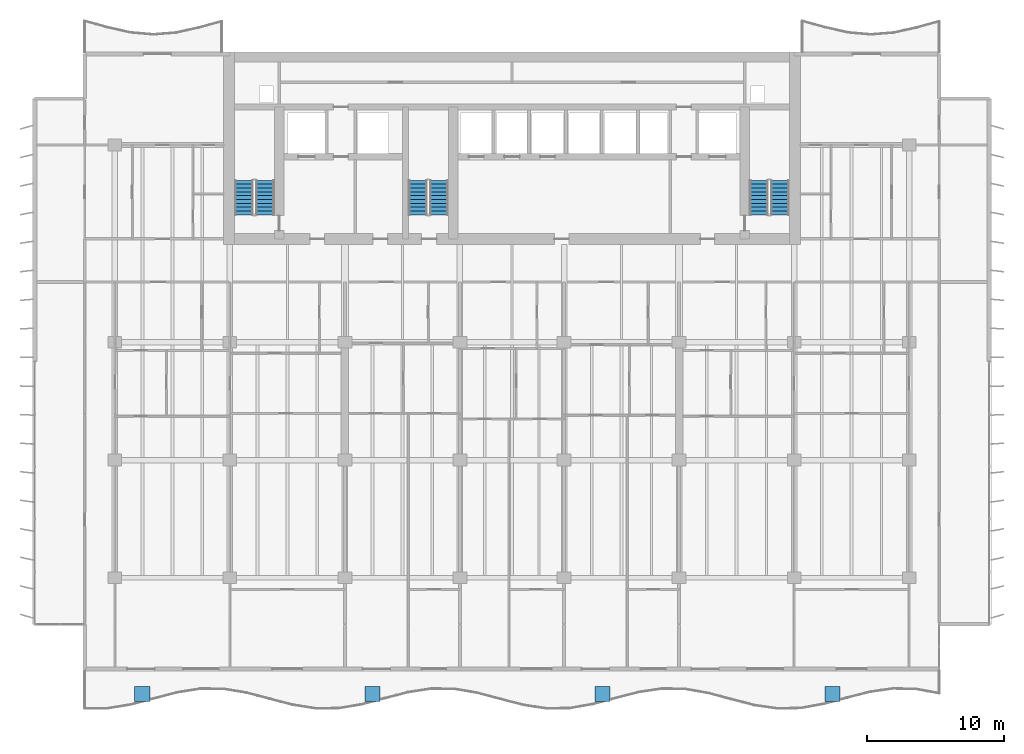
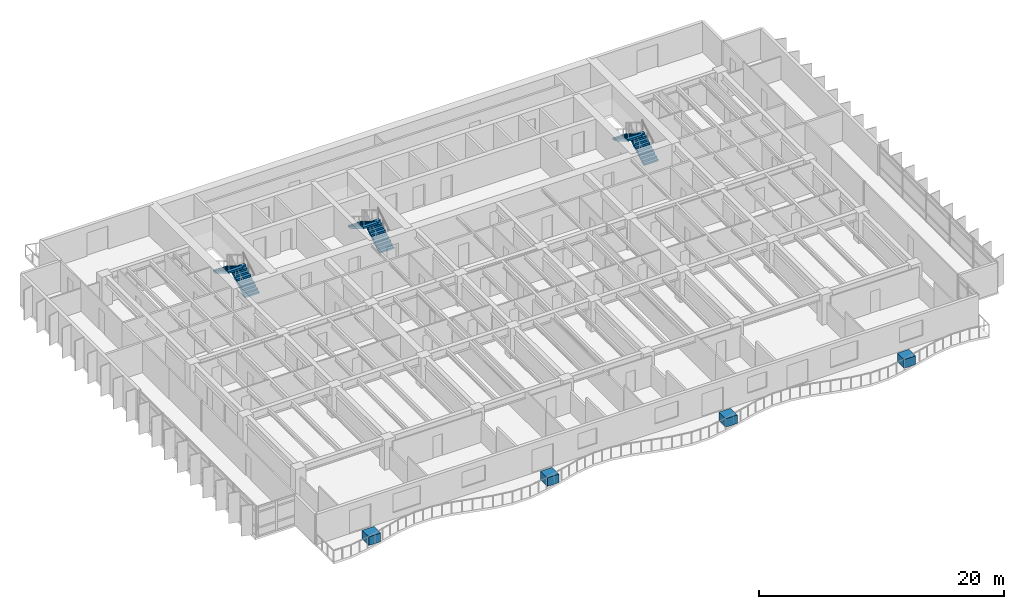
# One storey, part 15 of 19: 6 stair flights, 4 discrete accessories, 3 elements without a shape of their own.
"""IFC4 building model written with IfcOpenShell, lengths in metres."""

from ifc_helpers import new_model, si_unit, direction, frame, origin, origin_2d, place, context, subcontext, project, spatial, polyline, rectangle, outline, extrude, material, type_object, element, aggregate, save


model = new_model("IFC4")

# Units and contexts
model_context = context("Model", 3, precision=1e-05, world=origin(), true_north=direction((0.0, 1.0)))
body_context = subcontext(model_context, "Body", "Model", "MODEL_VIEW")
ifc_project = project(units=[si_unit("LENGTHUNIT", "METRE"), si_unit("AREAUNIT", "SQUARE_METRE"), si_unit("VOLUMEUNIT", "CUBIC_METRE"), si_unit("PLANEANGLEUNIT", "RADIAN"), si_unit("MASSUNIT", "GRAM", prefix="KILO")], contexts=[model_context])

# Site, building, storey
site_placement = place(None, origin())
site = spatial("IfcSite", under=ifc_project, at=site_placement, CompositionType="ELEMENT")
building_placement = place(site_placement, origin())
building = spatial("IfcBuilding", under=site, at=building_placement, Name="Caelmar Bay Residences", CompositionType="ELEMENT")
storey_placement = place(building_placement, frame((0.0, 0.0, 94.5)))
storey = spatial("IfcBuildingStorey", under=building, at=storey_placement, Name="L25", CompositionType="ELEMENT", Elevation=94.5)

# Stair, stair flights
ifc_material_1 = material(Name="Concrete f'c 40 MPa (6,000 psi)", Category="concrete")
stair_type = type_object("IfcStairType", Name="ST-TYP-165", PredefinedType="HALF_TURN_STAIR", material=ifc_material_1)
stair_1_placement = place(storey_placement, origin())
stair_1 = element("IfcStair", 1, at=stair_1_placement, inside=storey, type_object=stair_type, Name="L25 West Smokeproof Exit Stair ST1", PredefinedType="HALF_TURN_STAIR")
stair_flight_type = type_object("IfcStairFlightType", Name="STF-1350", PredefinedType="STRAIGHT", material=ifc_material_1)
stair_flight_1_placement = place(storey_placement, frame((20.875, 38.699951171875, 0.0), z_axis=(0.0, 0.0, 1.0), x_axis=(0.0, 1.0, 0.0)))
stair_flight_1 = element("IfcStairFlight", 2, at=stair_flight_1_placement, type_object=stair_flight_type, Name="ST1 flight 1", NumberOfRisers=10, NumberOfTreads=9, PredefinedType="STRAIGHT", RiserHeight=0.165, TreadLength=0.28, context=body_context, shape_type="SweptSolid", body=[
    extrude(outline(polyline([(0.0, 0.0), (0.0, 0.1650390625), (0.280029296875, 0.1650390625), (0.280029296875, 0.330078125), (0.56005859375, 0.330078125), (0.56005859375, 0.4951171875), (0.840087890625, 0.4951171875), (0.840087890625, 0.659912109375), (1.1201171875, 0.659912109375), (1.1201171875, 0.824951171875), (1.39990234375, 0.824951171875), (1.39990234375, 0.989990234375), (1.679931640625, 0.989990234375), (1.679931640625, 1.155029296875), (1.9599609375, 1.155029296875), (1.9599609375, 1.320068359375), (2.239990234375, 1.320068359375), (2.239990234375, 1.485107421875), (2.52001953125, 1.485107421875), (2.52001953125, 1.64990234375), (2.52001953125, 1.31103515625), (0.295166015625, 0.0), (0.0, 0.0)])), frame((0.0, 0.675048828125, 0.0), z_axis=(0.0, -1.0, 0.0), x_axis=(1.0, 0.0, 0.0)), (0.0, 0.0, 1.0), 1.35009765625),
])
stair_flight_2_placement = place(storey_placement, frame((19.324951171875, 41.219970703125, 1.64990234375), z_axis=(0.0, 0.0, 1.0), x_axis=(0.0, -1.0, 0.0)))
stair_flight_2 = element("IfcStairFlight", 3, at=stair_flight_2_placement, type_object=stair_flight_type, Name="ST1 flight 2", NumberOfRisers=10, NumberOfTreads=9, PredefinedType="STRAIGHT", RiserHeight=0.165, TreadLength=0.28, context=body_context, shape_type="SweptSolid", body=[
    extrude(outline(polyline([(0.0, 0.0), (0.0, 0.1650390625), (0.280029296875, 0.1650390625), (0.280029296875, 0.330078125), (0.56005859375, 0.330078125), (0.56005859375, 0.4951171875), (0.840087890625, 0.4951171875), (0.840087890625, 0.659912109375), (1.1201171875, 0.659912109375), (1.1201171875, 0.824951171875), (1.39990234375, 0.824951171875), (1.39990234375, 0.989990234375), (1.679931640625, 0.989990234375), (1.679931640625, 1.155029296875), (1.9599609375, 1.155029296875), (1.9599609375, 1.320068359375), (2.239990234375, 1.320068359375), (2.239990234375, 1.485107421875), (2.52001953125, 1.485107421875), (2.52001953125, 1.64990234375), (2.52001953125, 1.31103515625), (0.295166015625, 0.0), (0.0, 0.0)])), frame((0.0, 0.675048828125, 0.0), z_axis=(0.0, -1.0, 0.0), x_axis=(1.0, 0.0, 0.0)), (0.0, 0.0, 1.0), 1.35009765625),
])
aggregate(stair_1, [stair_flight_1, stair_flight_2])

stair_2_placement = place(storey_placement, origin())
stair_2 = element("IfcStair", 4, at=stair_2_placement, inside=storey, type_object=stair_type, Name="L25 East Smokeproof Exit Stair ST2", PredefinedType="HALF_TURN_STAIR")
stair_flight_3_placement = place(storey_placement, frame((58.47509765625, 38.699951171875, 0.0), z_axis=(0.0, 0.0, 1.0), x_axis=(0.0, 1.0, 0.0)))
stair_flight_3 = element("IfcStairFlight", 5, at=stair_flight_3_placement, type_object=stair_flight_type, Name="ST2 flight 1", NumberOfRisers=10, NumberOfTreads=9, PredefinedType="STRAIGHT", RiserHeight=0.165, TreadLength=0.28, context=body_context, shape_type="SweptSolid", body=[
    extrude(outline(polyline([(0.0, 0.0), (0.0, 0.1650390625), (0.280029296875, 0.1650390625), (0.280029296875, 0.330078125), (0.56005859375, 0.330078125), (0.56005859375, 0.4951171875), (0.840087890625, 0.4951171875), (0.840087890625, 0.659912109375), (1.1201171875, 0.659912109375), (1.1201171875, 0.824951171875), (1.39990234375, 0.824951171875), (1.39990234375, 0.989990234375), (1.679931640625, 0.989990234375), (1.679931640625, 1.155029296875), (1.9599609375, 1.155029296875), (1.9599609375, 1.320068359375), (2.239990234375, 1.320068359375), (2.239990234375, 1.485107421875), (2.52001953125, 1.485107421875), (2.52001953125, 1.64990234375), (2.52001953125, 1.31103515625), (0.295166015625, 0.0), (0.0, 0.0)])), frame((0.0, 0.675048828125, 0.0), z_axis=(0.0, -1.0, 0.0), x_axis=(1.0, 0.0, 0.0)), (0.0, 0.0, 1.0), 1.35009765625),
])
stair_flight_4_placement = place(storey_placement, frame((56.925048828125, 41.219970703125, 1.64990234375), z_axis=(0.0, 0.0, 1.0), x_axis=(0.0, -1.0, 0.0)))
stair_flight_4 = element("IfcStairFlight", 6, at=stair_flight_4_placement, type_object=stair_flight_type, Name="ST2 flight 2", NumberOfRisers=10, NumberOfTreads=9, PredefinedType="STRAIGHT", RiserHeight=0.165, TreadLength=0.28, context=body_context, shape_type="SweptSolid", body=[
    extrude(outline(polyline([(0.0, 0.0), (0.0, 0.1650390625), (0.280029296875, 0.1650390625), (0.280029296875, 0.330078125), (0.56005859375, 0.330078125), (0.56005859375, 0.4951171875), (0.840087890625, 0.4951171875), (0.840087890625, 0.659912109375), (1.1201171875, 0.659912109375), (1.1201171875, 0.824951171875), (1.39990234375, 0.824951171875), (1.39990234375, 0.989990234375), (1.679931640625, 0.989990234375), (1.679931640625, 1.155029296875), (1.9599609375, 1.155029296875), (1.9599609375, 1.320068359375), (2.239990234375, 1.320068359375), (2.239990234375, 1.485107421875), (2.52001953125, 1.485107421875), (2.52001953125, 1.64990234375), (2.52001953125, 1.31103515625), (0.295166015625, 0.0), (0.0, 0.0)])), frame((0.0, 0.675048828125, 0.0), z_axis=(0.0, -1.0, 0.0), x_axis=(1.0, 0.0, 0.0)), (0.0, 0.0, 1.0), 1.35009765625),
])
aggregate(stair_2, [stair_flight_3, stair_flight_4])

stair_3_placement = place(storey_placement, origin())
stair_3 = element("IfcStair", 7, at=stair_3_placement, inside=storey, type_object=stair_type, Name="L25 Central Smokeproof Exit Stair ST3", PredefinedType="HALF_TURN_STAIR")
stair_flight_5_placement = place(storey_placement, frame((33.574951171875, 38.699951171875, 0.0), z_axis=(0.0, 0.0, 1.0), x_axis=(0.0, 1.0, 0.0)))
stair_flight_5 = element("IfcStairFlight", 8, at=stair_flight_5_placement, type_object=stair_flight_type, Name="ST3 flight 1", NumberOfRisers=10, NumberOfTreads=9, PredefinedType="STRAIGHT", RiserHeight=0.165, TreadLength=0.28, context=body_context, shape_type="SweptSolid", body=[
    extrude(outline(polyline([(0.0, 0.0), (0.0, 0.1650390625), (0.280029296875, 0.1650390625), (0.280029296875, 0.330078125), (0.56005859375, 0.330078125), (0.56005859375, 0.4951171875), (0.840087890625, 0.4951171875), (0.840087890625, 0.659912109375), (1.1201171875, 0.659912109375), (1.1201171875, 0.824951171875), (1.39990234375, 0.824951171875), (1.39990234375, 0.989990234375), (1.679931640625, 0.989990234375), (1.679931640625, 1.155029296875), (1.9599609375, 1.155029296875), (1.9599609375, 1.320068359375), (2.239990234375, 1.320068359375), (2.239990234375, 1.485107421875), (2.52001953125, 1.485107421875), (2.52001953125, 1.64990234375), (2.52001953125, 1.31103515625), (0.295166015625, 0.0), (0.0, 0.0)])), frame((0.0, 0.675048828125, 0.0), z_axis=(0.0, -1.0, 0.0), x_axis=(1.0, 0.0, 0.0)), (0.0, 0.0, 1.0), 1.35009765625),
])
stair_flight_6_placement = place(storey_placement, frame((32.02490234375, 41.219970703125, 1.64990234375), z_axis=(0.0, 0.0, 1.0), x_axis=(0.0, -1.0, 0.0)))
stair_flight_6 = element("IfcStairFlight", 9, at=stair_flight_6_placement, type_object=stair_flight_type, Name="ST3 flight 2", NumberOfRisers=10, NumberOfTreads=9, PredefinedType="STRAIGHT", RiserHeight=0.165, TreadLength=0.28, context=body_context, shape_type="SweptSolid", body=[
    extrude(outline(polyline([(0.0, 0.0), (0.0, 0.1650390625), (0.280029296875, 0.1650390625), (0.280029296875, 0.330078125), (0.56005859375, 0.330078125), (0.56005859375, 0.4951171875), (0.840087890625, 0.4951171875), (0.840087890625, 0.659912109375), (1.1201171875, 0.659912109375), (1.1201171875, 0.824951171875), (1.39990234375, 0.824951171875), (1.39990234375, 0.989990234375), (1.679931640625, 0.989990234375), (1.679931640625, 1.155029296875), (1.9599609375, 1.155029296875), (1.9599609375, 1.320068359375), (2.239990234375, 1.320068359375), (2.239990234375, 1.485107421875), (2.52001953125, 1.485107421875), (2.52001953125, 1.64990234375), (2.52001953125, 1.31103515625), (0.295166015625, 0.0), (0.0, 0.0)])), frame((0.0, 0.675048828125, 0.0), z_axis=(0.0, -1.0, 0.0), x_axis=(1.0, 0.0, 0.0)), (0.0, 0.0, 1.0), 1.35009765625),
])
aggregate(stair_3, [stair_flight_5, stair_flight_6])

# Discrete accessories
ifc_material_2 = material(Name="Architectural bronze GRC planter trough with volcanic-lapilli substrate")
discrete_accessory_type = type_object("IfcDiscreteAccessoryType", Name="ACC-PLANTER-1100", PredefinedType="USERDEFINED", material=ifc_material_2)
for number, where, z_axis, x_axis, name in (
    (10, (11.89990234375, 3.71826171875, 0.0), (0.0, 0.0, 1.0), (1.0, 0.0, 0.0), "L25 Balcony Structural Tree Planter 1"),
    (11, (28.699951171875, 3.71826171875, 0.0), (0.0, 0.0, 1.0), (1.0, 0.0, 0.0), "L25 Balcony Structural Tree Planter 2"),
    (12, (45.5, 3.71826171875, 0.0), (0.0, 0.0, 1.0), (1.0, 0.0, 0.0), "L25 Balcony Structural Tree Planter 3"),
    (13, (62.300048828125, 3.71826171875, 0.0), (0.0, 0.0, 1.0), (1.0, 0.0, 0.0), "L25 Balcony Structural Tree Planter 4"),
):
    element("IfcDiscreteAccessory", number, at=place(storey_placement, frame(where, z_axis=z_axis, x_axis=x_axis)), inside=storey, type_object=discrete_accessory_type, Name=name, ObjectType="PLANTER", PredefinedType="USERDEFINED", context=body_context, shape_type="SweptSolid", body=[
        extrude(rectangle(XDim=1.10009765625, YDim=1.10009765625, at=origin_2d()), origin(), (0.0, 0.0, 1.0), 0.85009765625),
    ])

save(model, "model.ifc")
